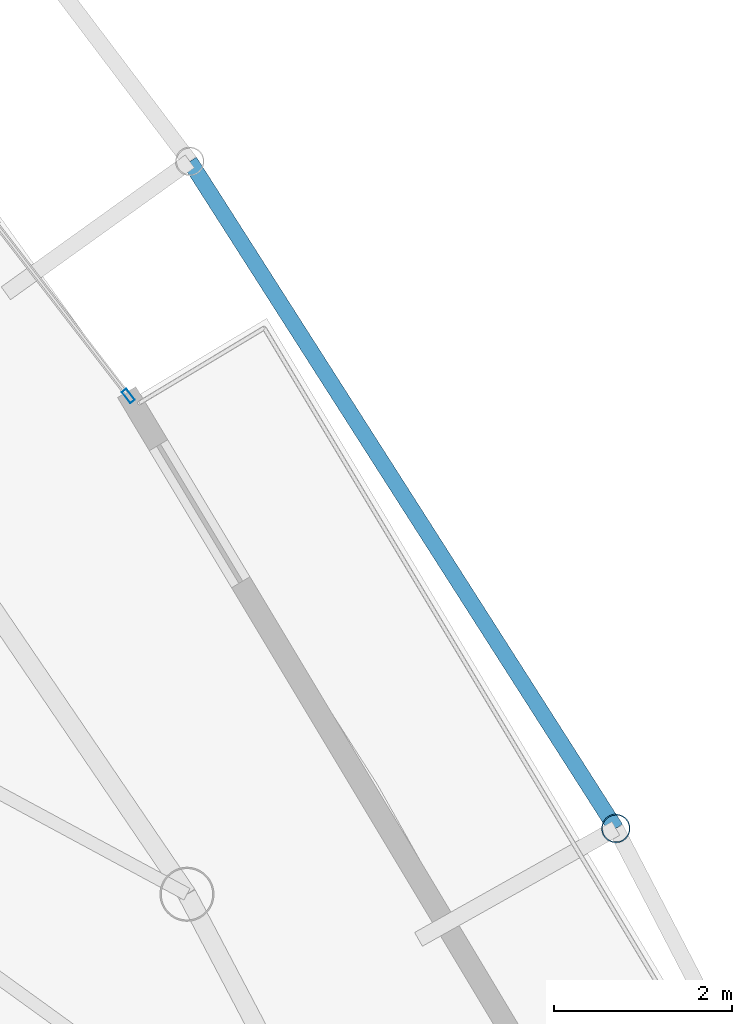
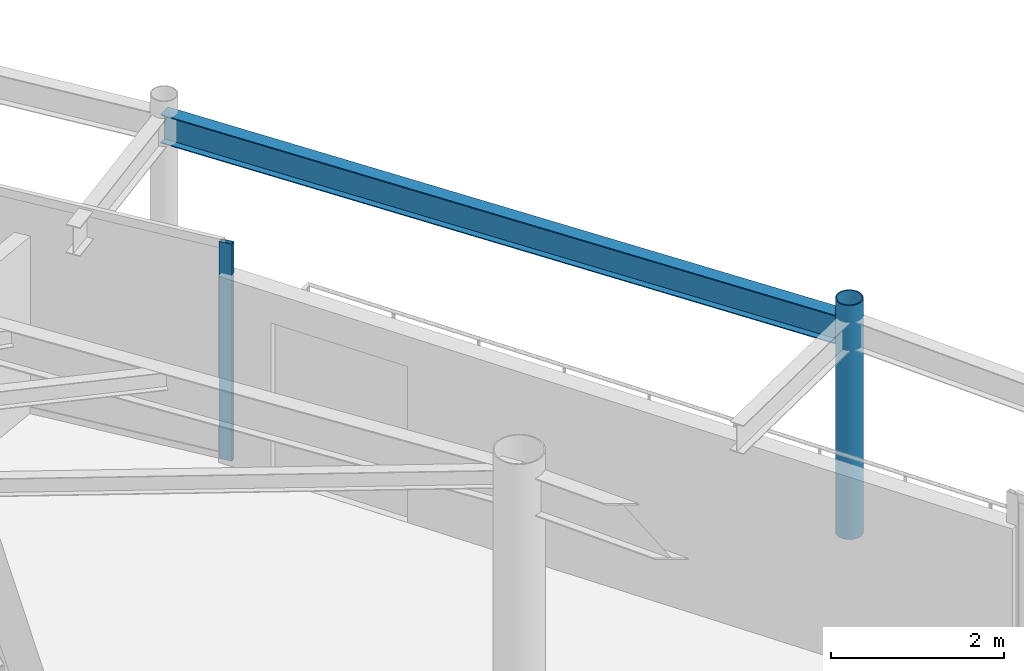
# One storey, part 22 of 33: 2 members, 1 beam, 1 element without a shape of its own.
"""IFC4 building model written with IfcOpenShell, lengths in metres."""

from ifc_helpers import new_model, si_unit, direction, frame, origin, origin_2d, place, context, subcontext, project, spatial, hollow_rectangle, hollow_circle, i_section, extrude, material, layer, layer_set, material_profile, profile_set, type_object, element, aggregate, save


model = new_model("IFC4")

# Units and contexts
model_context = context("Model", 3, precision=1e-05, world=origin(), true_north=direction((0.0, 1.0)))
body_context = subcontext(model_context, "Body", "Model", "MODEL_VIEW")
ifc_project = project(units=[si_unit("LENGTHUNIT", "METRE"), si_unit("AREAUNIT", "SQUARE_METRE"), si_unit("VOLUMEUNIT", "CUBIC_METRE"), si_unit("PLANEANGLEUNIT", "RADIAN"), si_unit("MASSUNIT", "GRAM", prefix="KILO")], contexts=[model_context])

# Site, building, storey
site_placement = place(None, origin())
site = spatial("IfcSite", under=ifc_project, at=site_placement, CompositionType="ELEMENT")
building_placement = place(site_placement, origin())
building = spatial("IfcBuilding", under=site, at=building_placement, Name="Orvanel Arch Residences", CompositionType="ELEMENT")
storey_placement = place(building_placement, frame((0.0, 0.0, 196.39990234375)))
storey = spatial("IfcBuildingStorey", under=building, at=storey_placement, Name="L55", CompositionType="ELEMENT", Elevation=196.39990234375)

# Curtain wall, member
ifc_material_1 = material(Name="Bronze-anodised aluminium AA6063-T6", Category="aluminium")
ifc_layer = layer(ifc_material_1, 0.175048828125)
ifc_layer_set = layer_set([ifc_layer], Name="Bronze-anodised aluminium AA6063-T6")
curtain_wall_type = type_object("IfcCurtainWallType", Name="CW4-HI-SYS", PredefinedType="NOTDEFINED", material=ifc_layer_set)
curtain_wall_placement = place(storey_placement, origin())
curtain_wall = element("IfcCurtainWall", 1, at=curtain_wall_placement, inside=storey, type_object=curtain_wall_type, Name="L55 CW4-HI-SYS Unitised Curtain Wall", PredefinedType="NOTDEFINED")
ifc_material_profile_1 = material_profile(ifc_material_1, hollow_rectangle(XDim=0.06494140625, YDim=0.159912109375, WallThickness=0.00390625, at=origin_2d()), Name="ALU160x65x4")
ifc_profile_set_1 = profile_set([ifc_material_profile_1], Name="Bronze-anodised aluminium AA6063-T6")
member_type_1 = type_object("IfcMemberType", Name="MUL-160x65", PredefinedType="MULLION", material=ifc_profile_set_1)
member_1_placement = place(storey_placement, frame((44.770263671875, 33.254638671875, 0.0), z_axis=(0.0, 0.0, 1.0), x_axis=(-0.792297867049, -0.610134485069, 0.0)))
member_1 = element("IfcMember", 2, at=member_1_placement, type_object=member_type_1, Name="CW-S4 mullion 1", PredefinedType="MULLION", context=body_context, shape_type="SweptSolid", body=[
    extrude(hollow_rectangle(XDim=0.06494140625, YDim=0.159912109375, WallThickness=0.00390625, at=origin_2d()), origin(), (0.0, 0.0, 1.0), 3.06005859375),
])
aggregate(curtain_wall, [member_1])

# Beam
ifc_material_2 = material(Name="Structural steel AS/NZS 3679.1 Grade 300 (300 MPa)", Category="steel")
ifc_material_profile_2 = material_profile(ifc_material_2, i_section(OverallWidth=0.177978515625, OverallDepth=0.406005859375, WebThickness=0.0078125, FlangeThickness=0.0126953125, at=origin_2d()), Name="410UB59.7")
ifc_profile_set_2 = profile_set([ifc_material_profile_2], Name="Structural steel AS/NZS 3679.1 Grade 300 (300 MPa)")
beam_type = type_object("IfcBeamType", Name="OB-410UB-EXT", PredefinedType="SPANDREL", material=ifc_profile_set_2)
beam_placement = place(storey_placement, frame((50.261962890625, 28.382080078125, 2.857177734375), z_axis=(-0.538270976502, 0.842771829059, 0.0), x_axis=(-0.842771829059, -0.538270976502, 0.0)))
element("IfcBeam", 3, at=beam_placement, inside=storey, type_object=beam_type, Name="L55 Outer Perimeter Floor Ring Beam 10", PredefinedType="SPANDREL", context=body_context, shape_type="SweptSolid", body=[
    extrude(i_section(OverallWidth=0.177978515625, OverallDepth=0.406005859375, WebThickness=0.0078125, FlangeThickness=0.0126953125, at=origin_2d()), origin(), (0.0, 0.0, 1.0), 8.915771484375),
])

# Member
ifc_material_3 = material(Name="Structural steel AS/NZS 1163 C350L0 (Grade 350)", Category="steel")
ifc_material_profile_3 = material_profile(ifc_material_3, hollow_circle(Radius=0.162109375, WallThickness=0.0126953125, at=origin_2d()), Name="CHS324x12.7")
ifc_profile_set_3 = profile_set([ifc_material_profile_3], Name="Structural steel AS/NZS 1163 C350L0 (Grade 350)")
member_type_2 = type_object("IfcMemberType", Name="ST-324CHS-EXT", PredefinedType="STRUT", material=ifc_profile_set_3)
member_2_placement = place(storey_placement, frame((50.261962890625, 28.382080078125, 0.0), z_axis=(0.0, 0.0, 1.0), x_axis=(1.0, 0.0, 0.0)))
element("IfcMember", 4, at=member_2_placement, inside=storey, type_object=member_type_2, Name="L55 Outer Perimeter Frame Post 10", PredefinedType="STRUT", context=body_context, shape_type="SweptSolid", body=[
    extrude(hollow_circle(Radius=0.162109375, WallThickness=0.0126953125, at=origin_2d()), origin(), (0.0, 0.0, 1.0), 3.300048828125),
])

save(model, "model.ifc")
